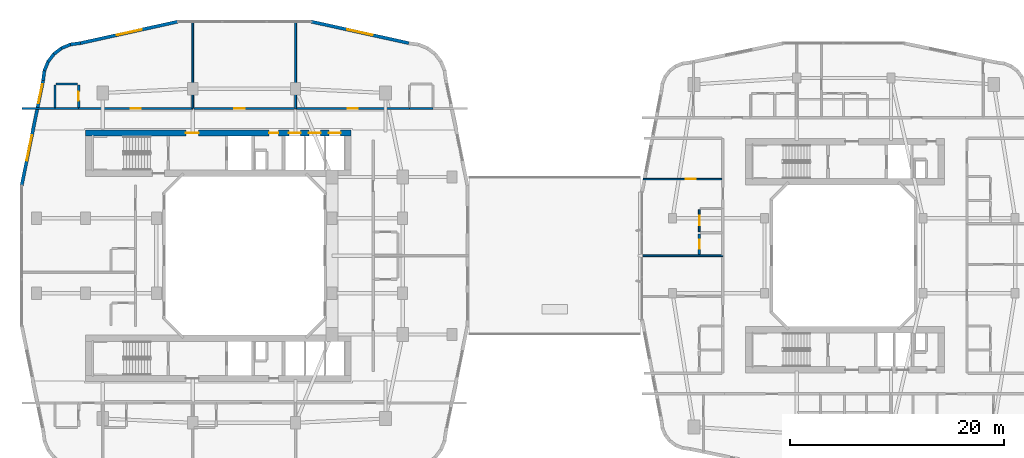
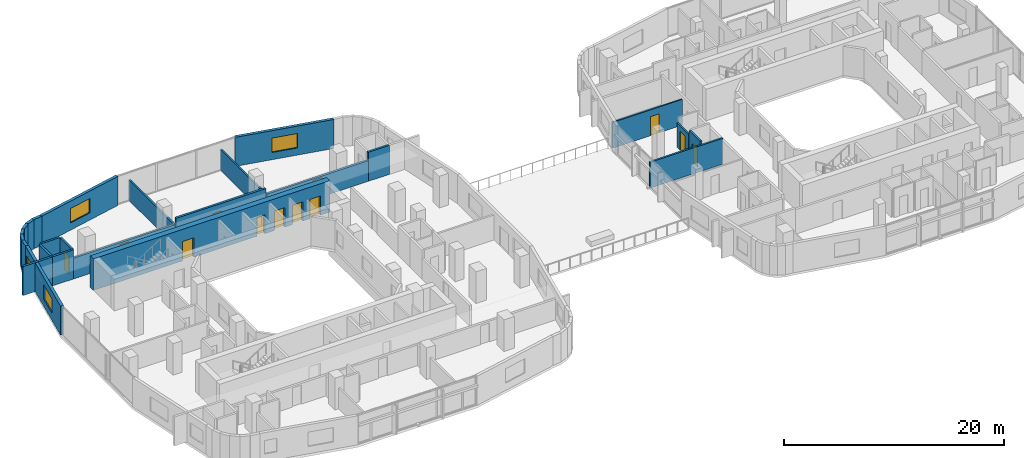
# One storey, part 15 of 25: 25 walls, 12 doors, 4 windows, 16 openings.
"""IFC4 building model written with IfcOpenShell, lengths in metres."""

from ifc_helpers import new_model, si_unit, derived_unit, direction, frame, frame_2d, origin, place, context, subcontext, project, spatial, rectangle, extrude, material, layer, layer_set, type_object, element, fill, save


model = new_model("IFC4")

# Units and contexts
model_context = context("Model", 3, precision=1e-05, world=origin(), true_north=direction((0.0, 1.0)))
body_context = subcontext(model_context, "Body", "Model", "MODEL_VIEW")
ifc_project = project(units=[si_unit("LENGTHUNIT", "METRE"), si_unit("AREAUNIT", "SQUARE_METRE"), si_unit("VOLUMEUNIT", "CUBIC_METRE"), si_unit("PLANEANGLEUNIT", "RADIAN"), si_unit("MASSUNIT", "GRAM", prefix="KILO"), derived_unit("THERMALTRANSMITTANCEUNIT", [(si_unit("POWERUNIT", "WATT"), 1), (si_unit("LENGTHUNIT", "METRE"), -2), (si_unit("THERMODYNAMICTEMPERATUREUNIT", "KELVIN"), -1)])], contexts=[model_context])

# Site, building, storey
site_placement = place(None, origin())
site = spatial("IfcSite", under=ifc_project, at=site_placement, CompositionType="ELEMENT")
building_placement = place(site_placement, origin())
building = spatial("IfcBuilding", under=site, at=building_placement, Name="Kivonza Crest Hotel", CompositionType="ELEMENT")
storey_placement = place(building_placement, frame((0.0, 0.0, 24.0)))
storey = spatial("IfcBuildingStorey", under=building, at=storey_placement, Name="L05", CompositionType="ELEMENT", Elevation=24.0)

# Walls
ifc_material_1 = material(Name="High-density acoustic masonry inter-tenancy wall", Category="masonry")
ifc_layer_1 = layer(ifc_material_1, 0.179931640625)
ifc_layer_set_1 = layer_set([ifc_layer_1], Name="High-density acoustic masonry inter-tenancy wall")
wall_type_1 = type_object("IfcWallType", Name="WL-ACOU-180", PredefinedType="SOLIDWALL", material=ifc_layer_set_1)
for number, where, z_axis, x_axis, name in (
    (1, (16.199951171875, 38.75, 0.0), (0.0, 0.0, 1.0), (0.0, 1.0, 0.0), "L05 interior partition WA-L05-T1N-DIV1"),
    (2, (25.800048828125, 38.75, 0.0), (0.0, 0.0, 1.0), (0.0, 1.0, 0.0), "L05 interior partition WA-L05-T1N-DIV2"),
):
    element("IfcWall", number, at=place(storey_placement, frame(where, z_axis=z_axis, x_axis=x_axis)), inside=storey, type_object=wall_type_1, Name=name, PredefinedType="SOLIDWALL", context=body_context, shape_type="SweptSolid", body=[
        extrude(rectangle(XDim=8.18994140625, YDim=0.179931640625, at=frame_2d((4.094970703125, 0.0))), origin(), (0.0, 0.0, 1.0), 2.294921875),
    ])
wall_1_placement = place(storey_placement, frame((58.06005859375, 25.0, 0.0), z_axis=(0.0, 0.0, 1.0), x_axis=(1.0, 0.0, 0.0)))
element("IfcWall", 3, at=wall_1_placement, inside=storey, type_object=wall_type_1, Name="L05 interior partition WA-L05-T2W-DIV1", PredefinedType="SOLIDWALL", context=body_context, shape_type="SweptSolid", body=[
    extrude(rectangle(XDim=7.639892578125, YDim=0.179931640625, at=frame_2d((3.81982421875, 0.0))), origin(), (0.0, 0.0, 1.0), 2.864990234375),
])
ifc_material_2 = material(Name="Autoclaved aerated concrete blockwork", Category="masonry")
ifc_layer_2 = layer(ifc_material_2, 0.219970703125)
ifc_layer_set_2 = layer_set([ifc_layer_2], Name="Autoclaved aerated concrete blockwork")
wall_type_2 = type_object("IfcWallType", Name="WL-ACOU-220", PredefinedType="SOLIDWALL", material=ifc_layer_set_2)
wall_2_placement = place(storey_placement, frame((0.239990234375, 38.75, 0.0), z_axis=(0.0, 0.0, 1.0), x_axis=(1.0, 0.0, 0.0)))
element("IfcWall", 4, at=wall_2_placement, inside=storey, type_object=wall_type_2, Name="L05 interior partition WA-L05-N01-XCORR", PredefinedType="SOLIDWALL", context=body_context, shape_type="SweptSolid", body=[
    extrude(rectangle(XDim=3.110107421875, YDim=0.219970703125, at=frame_2d((1.55517578125, 0.0))), origin(), (0.0, 0.0, 1.0), 3.219970703125),
])
wall_3_placement = place(storey_placement, frame((3.35009765625, 38.75, 0.0), z_axis=(0.0, 0.0, 1.0), x_axis=(1.0, 0.0, 0.0)))
element("IfcWall", 5, at=wall_3_placement, inside=storey, type_object=wall_type_2, Name="L05 interior partition WA-L05-N01-BCORR", PredefinedType="SOLIDWALL", context=body_context, shape_type="SweptSolid", body=[
    extrude(rectangle(XDim=2.199951171875, YDim=0.219970703125, at=frame_2d((1.10009765625, 0.0))), origin(), (0.0, 0.0, 1.0), 3.219970703125),
])

# Wall, opening, door
wall_4_placement = place(storey_placement, frame((5.550048828125, 38.75, 0.0), z_axis=(0.0, 0.0, 1.0), x_axis=(1.0, 0.0, 0.0)))
wall_4 = element("IfcWall", 6, at=wall_4_placement, inside=storey, type_object=wall_type_2, Name="L05 interior partition WA-L05-N01-MCORR", PredefinedType="SOLIDWALL", context=body_context, shape_type="SweptSolid", body=[
    extrude(rectangle(XDim=10.64990234375, YDim=0.219970703125, at=frame_2d((5.324951171875, 0.0))), origin(), (0.0, 0.0, 1.0), 2.294921875),
])
opening_1_placement = place(wall_4_placement, frame((4.85009765625, 0.0, 0.0)))
opening_1 = element("IfcOpeningElement", 7, at=opening_1_placement, cuts=wall_4, Name="Opening DU-60", PredefinedType="OPENING", context=body_context, shape_type="SweptSolid", body=[
    extrude(rectangle(XDim=0.949951171875, YDim=2.10009765625, at=frame_2d((0.47509765625, 1.050048828125))), frame((0.0, 0.1201171875, 0.0), z_axis=(0.0, -1.0, 0.0), x_axis=(1.0, 0.0, 0.0)), (0.0, 0.0, 1.0), 0.239990234375),
])
ifc_material_3 = material(Name="Hardwood timber oak", Category="wood")
door_type_1 = type_object("IfcDoorType", Name="DR-UNIT-950", OperationType="NOTDEFINED", PredefinedType="DOOR", material=ifc_material_3)
door_1_placement = place(opening_1_placement, origin())
door_1 = element("IfcDoor", 8, at=door_1_placement, inside=storey, type_object=door_type_1, Name="L05 N01 guest unit entrance fire door", OperationType="SINGLE_SWING_LEFT", OverallHeight=2.10009765625, OverallWidth=0.949951171875, PredefinedType="DOOR", context=body_context, shape_type="SweptSolid", body=[
    extrude(rectangle(XDim=0.949951171875, YDim=2.10009765625, at=frame_2d((0.47509765625, 1.050048828125))), frame((0.0, 0.02490234375, 0.0), z_axis=(0.0, -1.0, 0.0), x_axis=(1.0, 0.0, 0.0)), (0.0, 0.0, 1.0), 0.050048828125),
])
fill(opening_1, door_1)

wall_5_placement = place(storey_placement, frame((16.300048828125, 38.75, 0.0), z_axis=(0.0, 0.0, 1.0), x_axis=(1.0, 0.0, 0.0)))
wall_5 = element("IfcWall", 9, at=wall_5_placement, inside=storey, type_object=wall_type_2, Name="L05 interior partition WA-L05-HK-MAIN-S", PredefinedType="SOLIDWALL", context=body_context, shape_type="SweptSolid", body=[
    extrude(rectangle(XDim=9.39990234375, YDim=0.219970703125, at=frame_2d((4.699951171875, 0.0))), origin(), (0.0, 0.0, 1.0), 2.955078125),
])
opening_2_placement = place(wall_5_placement, frame((3.79296875, 0.0, 0.0)))
opening_2 = element("IfcOpeningElement", 10, at=opening_2_placement, cuts=wall_5, Name="Opening DF-60S", PredefinedType="OPENING", context=body_context, shape_type="SweptSolid", body=[
    extrude(rectangle(XDim=0.949951171875, YDim=2.10009765625, at=frame_2d((0.47509765625, 1.050048828125))), frame((0.0, 0.1201171875, 0.0), z_axis=(0.0, -1.0, 0.0), x_axis=(1.0, 0.0, 0.0)), (0.0, 0.0, 1.0), 0.239990234375),
])
door_type_2 = type_object("IfcDoorType", Name="DR-FD60-950", OperationType="NOTDEFINED", PredefinedType="DOOR", material=ifc_material_3)
door_2_placement = place(opening_2_placement, origin())
door_2 = element("IfcDoor", 11, at=door_2_placement, inside=storey, type_object=door_type_2, Name="L05 Housekeeping and Linen Room door", OperationType="SINGLE_SWING_RIGHT", OverallHeight=2.10009765625, OverallWidth=0.949951171875, PredefinedType="DOOR", context=body_context, shape_type="SweptSolid", body=[
    extrude(rectangle(XDim=0.949951171875, YDim=2.10009765625, at=frame_2d((0.47509765625, 1.050048828125))), frame((0.0, 0.02490234375, 0.0), z_axis=(0.0, -1.0, 0.0), x_axis=(1.0, 0.0, 0.0)), (0.0, 0.0, 1.0), 0.050048828125),
])
fill(opening_2, door_2)

# Wall
wall_6_placement = place(storey_placement, frame((36.449951171875, 38.75, 0.0), z_axis=(0.0, 0.0, 1.0), x_axis=(1.0, 0.0, 0.0)))
element("IfcWall", 12, at=wall_6_placement, inside=storey, type_object=wall_type_2, Name="L05 interior partition WA-L05-N02-BCORR", PredefinedType="SOLIDWALL", context=body_context, shape_type="SweptSolid", body=[
    extrude(rectangle(XDim=2.199951171875, YDim=0.219970703125, at=frame_2d((1.10009765625, 0.0))), origin(), (0.0, 0.0, 1.0), 3.219970703125),
])

# Wall, opening, door
wall_7_placement = place(storey_placement, frame((25.800048828125, 38.75, 0.0), z_axis=(0.0, 0.0, 1.0), x_axis=(1.0, 0.0, 0.0)))
wall_7 = element("IfcWall", 13, at=wall_7_placement, inside=storey, type_object=wall_type_2, Name="L05 interior partition WA-L05-N02-MCORR", PredefinedType="SOLIDWALL", context=body_context, shape_type="SweptSolid", body=[
    extrude(rectangle(XDim=10.64990234375, YDim=0.219970703125, at=frame_2d((5.324951171875, 0.0))), origin(), (0.0, 0.0, 1.0), 2.294921875),
])
opening_3_placement = place(wall_7_placement, frame((4.85009765625, 0.0, 0.0)))
opening_3 = element("IfcOpeningElement", 14, at=opening_3_placement, cuts=wall_7, Name="Opening DU-60", PredefinedType="OPENING", context=body_context, shape_type="SweptSolid", body=[
    extrude(rectangle(XDim=0.949951171875, YDim=2.10009765625, at=frame_2d((0.47509765625, 1.050048828125))), frame((0.0, 0.1201171875, 0.0), z_axis=(0.0, -1.0, 0.0), x_axis=(1.0, 0.0, 0.0)), (0.0, 0.0, 1.0), 0.239990234375),
])
door_3_placement = place(opening_3_placement, origin())
door_3 = element("IfcDoor", 15, at=door_3_placement, inside=storey, type_object=door_type_1, Name="L05 N02 guest unit entrance fire door", OperationType="SINGLE_SWING_RIGHT", OverallHeight=2.10009765625, OverallWidth=0.949951171875, PredefinedType="DOOR", context=body_context, shape_type="SweptSolid", body=[
    extrude(rectangle(XDim=0.949951171875, YDim=2.10009765625, at=frame_2d((0.47509765625, 1.050048828125))), frame((0.0, 0.02490234375, 0.0), z_axis=(0.0, -1.0, 0.0), x_axis=(1.0, 0.0, 0.0)), (0.0, 0.0, 1.0), 0.050048828125),
])
fill(opening_3, door_3)

# Wall, openings, doors
ifc_material_4 = material(Name="Concrete C60/75", Category="concrete")
ifc_layer_3 = layer(ifc_material_4, 0.60009765625)
ifc_layer_set_3 = layer_set([ifc_layer_3], Name="Concrete C60/75")
wall_type_3 = type_object("IfcWallType", Name="WL-CORE-600", PredefinedType="SHEAR", material=ifc_layer_set_3)
wall_8_placement = place(storey_placement, frame((6.199951171875, 36.4599609375, 0.0), z_axis=(0.0, 0.0, 1.0), x_axis=(1.0, 0.0, 0.0)))
wall_8 = element("IfcWall", 16, at=wall_8_placement, inside=storey, type_object=wall_type_3, Name="Core wall T1-N North L05", PredefinedType="SHEAR", context=body_context, shape_type="SweptSolid", body=[
    extrude(rectangle(XDim=24.800048828125, YDim=0.60009765625, at=frame_2d((12.39990234375, 0.0))), origin(), (0.0, 0.0, 1.0), 3.5),
])
opening_4_placement = place(wall_8_placement, frame((9.35009765625, 0.0, 0.0)))
opening_4 = element("IfcOpeningElement", 17, at=opening_4_placement, cuts=wall_8, Name="Opening DF-60", PredefinedType="OPENING", context=body_context, shape_type="SweptSolid", body=[
    extrude(rectangle(XDim=1.199951171875, YDim=2.14990234375, at=frame_2d((0.60009765625, 1.074951171875))), frame((0.0, 0.31005859375, 0.0), z_axis=(0.0, -1.0, 0.0), x_axis=(1.0, 0.0, 0.0)), (0.0, 0.0, 1.0), 0.6201171875),
])
opening_5_placement = place(wall_8_placement, frame((17.139892578125, 0.0, 0.0)))
opening_5 = element("IfcOpeningElement", 18, at=opening_5_placement, cuts=wall_8, Name="Opening DF-60R", PredefinedType="OPENING", context=body_context, shape_type="SweptSolid", body=[
    extrude(rectangle(XDim=0.85009765625, YDim=2.10009765625, at=frame_2d((0.425048828125, 1.050048828125))), frame((0.0, 0.31005859375, 0.0), z_axis=(0.0, -1.0, 0.0), x_axis=(1.0, 0.0, 0.0)), (0.0, 0.0, 1.0), 0.6201171875),
])
opening_6_placement = place(wall_8_placement, frame((18.98291015625, 0.0, 0.0)))
opening_6 = element("IfcOpeningElement", 19, at=opening_6_placement, cuts=wall_8, Name="Opening LD-120", PredefinedType="OPENING", context=body_context, shape_type="SweptSolid", body=[
    extrude(rectangle(XDim=1.10009765625, YDim=2.14990234375, at=frame_2d((0.550048828125, 1.074951171875))), frame((0.0, 0.31005859375, 0.0), z_axis=(0.0, -1.0, 0.0), x_axis=(1.0, 0.0, 0.0)), (0.0, 0.0, 1.0), 0.6201171875),
])
opening_7_placement = place(wall_8_placement, frame((20.85009765625, 0.0, 0.0)))
opening_7 = element("IfcOpeningElement", 20, at=opening_7_placement, cuts=wall_8, Name="Opening LD-120", PredefinedType="OPENING", context=body_context, shape_type="SweptSolid", body=[
    extrude(rectangle(XDim=1.10009765625, YDim=2.14990234375, at=frame_2d((0.550048828125, 1.074951171875))), frame((0.0, 0.31005859375, 0.0), z_axis=(0.0, -1.0, 0.0), x_axis=(1.0, 0.0, 0.0)), (0.0, 0.0, 1.0), 0.6201171875),
])
opening_8_placement = place(wall_8_placement, frame((22.716064453125, 0.0, 0.0)))
opening_8 = element("IfcOpeningElement", 21, at=opening_8_placement, cuts=wall_8, Name="Opening LD-120", PredefinedType="OPENING", context=body_context, shape_type="SweptSolid", body=[
    extrude(rectangle(XDim=1.10009765625, YDim=2.14990234375, at=frame_2d((0.550048828125, 1.074951171875))), frame((0.0, 0.31005859375, 0.0), z_axis=(0.0, -1.0, 0.0), x_axis=(1.0, 0.0, 0.0)), (0.0, 0.0, 1.0), 0.6201171875),
])
door_type_3 = type_object("IfcDoorType", Name="DR-FD60-1200", OperationType="NOTDEFINED", PredefinedType="DOOR", material=ifc_material_3)
door_4_placement = place(opening_4_placement, origin())
door_4 = element("IfcDoor", 22, at=door_4_placement, inside=storey, type_object=door_type_3, Name="L05 T1-N firefighting lobby fire door", OperationType="SINGLE_SWING_RIGHT", OverallHeight=2.14990234375, OverallWidth=1.199951171875, PredefinedType="DOOR", context=body_context, shape_type="SweptSolid", body=[
    extrude(rectangle(XDim=1.199951171875, YDim=2.14990234375, at=frame_2d((0.60009765625, 1.074951171875))), frame((0.0, 0.02490234375, 0.0), z_axis=(0.0, -1.0, 0.0), x_axis=(1.0, 0.0, 0.0)), (0.0, 0.0, 1.0), 0.050048828125),
])
fill(opening_4, door_4)
door_type_4 = type_object("IfcDoorType", Name="DR-FD60-850", OperationType="NOTDEFINED", PredefinedType="DOOR", material=ifc_material_3)
door_5_placement = place(opening_5_placement, origin())
door_5 = element("IfcDoor", 23, at=door_5_placement, inside=storey, type_object=door_type_4, Name="L05 T1-N core room door", OperationType="SINGLE_SWING_RIGHT", OverallHeight=2.10009765625, OverallWidth=0.85009765625, PredefinedType="DOOR", context=body_context, shape_type="SweptSolid", body=[
    extrude(rectangle(XDim=0.85009765625, YDim=2.10009765625, at=frame_2d((0.425048828125, 1.050048828125))), frame((0.0, 0.02490234375, 0.0), z_axis=(0.0, -1.0, 0.0), x_axis=(1.0, 0.0, 0.0)), (0.0, 0.0, 1.0), 0.050048828125),
])
fill(opening_5, door_5)
ifc_material_5 = material(Name="Stainless steel", Category="steel")
door_type_5 = type_object("IfcDoorType", Name="DR-LD120-1100", OperationType="NOTDEFINED", PredefinedType="DOOR", material=ifc_material_5)
door_6_placement = place(opening_6_placement, origin())
door_6 = element("IfcDoor", 24, at=door_6_placement, inside=storey, type_object=door_type_5, Name="L05 PL-T1-L1 passenger lift sliding landing door", OperationType="DOUBLE_DOOR_SLIDING", OverallHeight=2.14990234375, OverallWidth=1.10009765625, PredefinedType="DOOR", context=body_context, shape_type="SweptSolid", body=[
    extrude(rectangle(XDim=1.10009765625, YDim=2.14990234375, at=frame_2d((0.550048828125, 1.074951171875))), frame((0.0, 0.02490234375, 0.0), z_axis=(0.0, -1.0, 0.0), x_axis=(1.0, 0.0, 0.0)), (0.0, 0.0, 1.0), 0.050048828125),
])
fill(opening_6, door_6)
door_7_placement = place(opening_7_placement, origin())
door_7 = element("IfcDoor", 25, at=door_7_placement, inside=storey, type_object=door_type_5, Name="L05 PL-T1-L2 passenger lift sliding landing door", OperationType="DOUBLE_DOOR_SLIDING", OverallHeight=2.14990234375, OverallWidth=1.10009765625, PredefinedType="DOOR", context=body_context, shape_type="SweptSolid", body=[
    extrude(rectangle(XDim=1.10009765625, YDim=2.14990234375, at=frame_2d((0.550048828125, 1.074951171875))), frame((0.0, 0.02490234375, 0.0), z_axis=(0.0, -1.0, 0.0), x_axis=(1.0, 0.0, 0.0)), (0.0, 0.0, 1.0), 0.050048828125),
])
fill(opening_7, door_7)
door_8_placement = place(opening_8_placement, origin())
door_8 = element("IfcDoor", 26, at=door_8_placement, inside=storey, type_object=door_type_5, Name="L05 PL-T1-L3 passenger lift sliding landing door", OperationType="DOUBLE_DOOR_SLIDING", OverallHeight=2.14990234375, OverallWidth=1.10009765625, PredefinedType="DOOR", context=body_context, shape_type="SweptSolid", body=[
    extrude(rectangle(XDim=1.10009765625, YDim=2.14990234375, at=frame_2d((0.550048828125, 1.074951171875))), frame((0.0, 0.02490234375, 0.0), z_axis=(0.0, -1.0, 0.0), x_axis=(1.0, 0.0, 0.0)), (0.0, 0.0, 1.0), 0.050048828125),
])
fill(opening_8, door_8)

# Wall, opening, window
ifc_material_6 = material(Name="Precast concrete C40/50", Category="concrete")
ifc_layer_4 = layer(ifc_material_6, 0.300048828125)
ifc_layer_set_4 = layer_set([ifc_layer_4], Name="Precast concrete C40/50")
wall_type_4 = type_object("IfcWallType", Name="WL-EXT-300", PredefinedType="STANDARD", material=ifc_layer_set_4)
wall_9_placement = place(storey_placement, frame((36.3759765625, 44.85205078125, 0.0), z_axis=(0.0, 0.0, 1.0), x_axis=(-0.97654500432, 0.215313386808, 0.0)))
wall_9 = element("IfcWall", 27, at=wall_9_placement, inside=storey, type_object=wall_type_4, Name="L05 T1 exterior insulated wall 25", PredefinedType="STANDARD", context=body_context, shape_type="SweptSolid", body=[
    extrude(rectangle(XDim=9.353515625, YDim=0.300048828125, at=frame_2d((4.6767578125, 0.0))), origin(), (0.0, 0.0, 1.0), 3.219970703125),
])
opening_9_placement = place(wall_9_placement, frame((3.47705078125, 0.0, 0.800048828125)))
opening_9 = element("IfcOpeningElement", 28, at=opening_9_placement, cuts=wall_9, Name="Opening WN-05", PredefinedType="OPENING", context=body_context, shape_type="SweptSolid", body=[
    extrude(rectangle(XDim=2.39990234375, YDim=1.60009765625, at=frame_2d((1.199951171875, 0.800048828125))), frame((0.0, 0.16015625, 0.0), z_axis=(0.0, -1.0, 0.0), x_axis=(1.0, 0.0, 0.0)), (0.0, 0.0, 1.0), 0.320068359375),
])
ifc_material_7 = material(Name="Thermally broken bronze aluminium and low-E double glazing", Category="aluminium")
window_type_1 = type_object("IfcWindowType", Name="WN-240x160", PartitioningType="TRIPLE_PANEL_VERTICAL", PredefinedType="WINDOW", material=ifc_material_7)
window_1_placement = place(opening_9_placement, origin())
window_1 = element("IfcWindow", 29, at=window_1_placement, inside=storey, type_object=window_type_1, Name="L05 T1 facade window 25", OverallHeight=1.60009765625, OverallWidth=2.39990234375, PartitioningType="SINGLE_PANEL", PredefinedType="WINDOW", context=body_context, shape_type="SweptSolid", body=[
    extrude(rectangle(XDim=2.39990234375, YDim=1.60009765625, at=frame_2d((1.199951171875, 0.800048828125))), frame((0.0, 0.030029296875, 0.0), z_axis=(0.0, -1.0, 0.0), x_axis=(1.0, 0.0, 0.0)), (0.0, 0.0, 1.0), 0.06005859375),
])
fill(opening_9, window_1)

wall_10_placement = place(storey_placement, frame((14.837890625, 46.865966796875, 0.0), z_axis=(0.0, 0.0, 1.0), x_axis=(-0.9765437942, -0.215318875183, 0.0)))
wall_10 = element("IfcWall", 30, at=wall_10_placement, inside=storey, type_object=wall_type_4, Name="L05 T1 exterior insulated wall 27", PredefinedType="STANDARD", context=body_context, shape_type="SweptSolid", body=[
    extrude(rectangle(XDim=9.353271484375, YDim=0.300048828125, at=frame_2d((4.6767578125, 0.0))), origin(), (0.0, 0.0, 1.0), 3.219970703125),
])
opening_10_placement = place(wall_10_placement, frame((3.47705078125, 0.0, 0.800048828125)))
opening_10 = element("IfcOpeningElement", 31, at=opening_10_placement, cuts=wall_10, Name="Opening WN-05", PredefinedType="OPENING", context=body_context, shape_type="SweptSolid", body=[
    extrude(rectangle(XDim=2.39990234375, YDim=1.60009765625, at=frame_2d((1.199951171875, 0.800048828125))), frame((0.0, 0.16015625, 0.0), z_axis=(0.0, -1.0, 0.0), x_axis=(1.0, 0.0, 0.0)), (0.0, 0.0, 1.0), 0.320068359375),
])
window_2_placement = place(opening_10_placement, origin())
window_2 = element("IfcWindow", 32, at=window_2_placement, inside=storey, type_object=window_type_1, Name="L05 T1 facade window 27", OverallHeight=1.60009765625, OverallWidth=2.39990234375, PartitioningType="SINGLE_PANEL", PredefinedType="WINDOW", context=body_context, shape_type="SweptSolid", body=[
    extrude(rectangle(XDim=2.39990234375, YDim=1.60009765625, at=frame_2d((1.199951171875, 0.800048828125))), frame((0.0, 0.030029296875, 0.0), z_axis=(0.0, -1.0, 0.0), x_axis=(1.0, 0.0, 0.0)), (0.0, 0.0, 1.0), 0.06005859375),
])
fill(opening_10, window_2)

# Walls
wall_11_placement = place(storey_placement, frame((5.7080078125, 44.85205078125, 0.0), z_axis=(0.0, 0.0, 1.0), x_axis=(-0.991359246108, -0.131174864804, 0.0)))
element("IfcWall", 33, at=wall_11_placement, inside=storey, type_object=wall_type_4, Name="L05 T1 exterior insulated wall 28", PredefinedType="STANDARD", context=body_context, shape_type="SweptSolid", body=[
    extrude(rectangle(XDim=0.93798828125, YDim=0.300048828125, at=frame_2d((0.468994140625, 0.0))), origin(), (0.0, 0.0, 1.0), 3.219970703125),
])
wall_12_placement = place(storey_placement, frame((4.827880859375, 44.748046875, 0.0), z_axis=(0.0, 0.0, 1.0), x_axis=(-0.923982547689, -0.382434636986, 0.0)))
element("IfcWall", 34, at=wall_12_placement, inside=storey, type_object=wall_type_4, Name="L05 T1 exterior insulated wall 29", PredefinedType="STANDARD", context=body_context, shape_type="SweptSolid", body=[
    extrude(rectangle(XDim=0.954345703125, YDim=0.300048828125, at=frame_2d((0.47705078125, 0.0))), origin(), (0.0, 0.0, 1.0), 3.219970703125),
])
for number, where, z_axis, x_axis, name in (
    (35, (3.990966796875, 44.4140625, 0.0), (0.0, 0.0, 1.0), (-0.793668068435, -0.608351047625, 0.0), "L05 T1 exterior insulated wall 30"),
    (36, (3.26806640625, 43.875, 0.0), (0.0, 0.0, 1.0), (-0.608351047625, -0.793668068435, 0.0), "L05 T1 exterior insulated wall 31"),
):
    element("IfcWall", number, at=place(storey_placement, frame(where, z_axis=z_axis, x_axis=x_axis)), inside=storey, type_object=wall_type_4, Name=name, PredefinedType="STANDARD", context=body_context, shape_type="SweptSolid", body=[
        extrude(rectangle(XDim=0.955078125, YDim=0.300048828125, at=frame_2d((0.4775390625, 0.0))), origin(), (0.0, 0.0, 1.0), 3.219970703125),
    ])
wall_13_placement = place(storey_placement, frame((2.7109375, 43.166015625, 0.0), z_axis=(0.0, 0.0, 1.0), x_axis=(-0.382344263057, -0.924019948111, 0.0)))
element("IfcWall", 37, at=wall_13_placement, inside=storey, type_object=wall_type_4, Name="L05 T1 exterior insulated wall 32", PredefinedType="STANDARD", context=body_context, shape_type="SweptSolid", body=[
    extrude(rectangle(XDim=0.95458984375, YDim=0.300048828125, at=frame_2d((0.477294921875, 0.0))), origin(), (0.0, 0.0, 1.0), 3.219970703125),
])
wall_14_placement = place(storey_placement, frame((2.35498046875, 42.3369140625, 0.0), z_axis=(0.0, 0.0, 1.0), x_axis=(-0.130454512571, -0.991454295543, 0.0)))
element("IfcWall", 38, at=wall_14_placement, inside=storey, type_object=wall_type_4, Name="L05 T1 exterior insulated wall 33", PredefinedType="STANDARD", context=body_context, shape_type="SweptSolid", body=[
    extrude(rectangle(XDim=0.97314453125, YDim=0.300048828125, at=frame_2d((0.486572265625, 0.0))), origin(), (0.0, 0.0, 1.0), 3.219970703125),
])

# Wall, openings, windows
wall_15_placement = place(storey_placement, frame((2.22900390625, 41.3779296875, 0.0), z_axis=(0.0, 0.0, 1.0), x_axis=(-0.199990901713, -0.979797754249, 0.0)))
wall_15 = element("IfcWall", 39, at=wall_15_placement, inside=storey, type_object=wall_type_4, Name="L05 T1 exterior insulated wall 34", PredefinedType="STANDARD", context=body_context, shape_type="SweptSolid", body=[
    extrude(rectangle(XDim=10.065185546875, YDim=0.300048828125, at=frame_2d((5.03271484375, 0.0))), origin(), (0.0, 0.0, 1.0), 3.219970703125),
])
opening_11_placement = place(wall_15_placement, frame((0.3779296875, 0.0, 0.85009765625)))
opening_11 = element("IfcOpeningElement", 40, at=opening_11_placement, cuts=wall_15, Name="Opening WN-03", PredefinedType="OPENING", context=body_context, shape_type="SweptSolid", body=[
    extrude(rectangle(XDim=1.800048828125, YDim=1.5, at=frame_2d((0.89990234375, 0.75))), frame((0.0, 0.16015625, 0.0), z_axis=(0.0, -1.0, 0.0), x_axis=(1.0, 0.0, 0.0)), (0.0, 0.0, 1.0), 0.320068359375),
])
opening_12_placement = place(wall_15_placement, frame((5.236083984375, 0.0, 0.800048828125)))
opening_12 = element("IfcOpeningElement", 41, at=opening_12_placement, cuts=wall_15, Name="Opening WN-05", PredefinedType="OPENING", context=body_context, shape_type="SweptSolid", body=[
    extrude(rectangle(XDim=2.39990234375, YDim=1.60009765625, at=frame_2d((1.199951171875, 0.800048828125))), frame((0.0, 0.16015625, 0.0), z_axis=(0.0, -1.0, 0.0), x_axis=(1.0, 0.0, 0.0)), (0.0, 0.0, 1.0), 0.320068359375),
])
window_type_2 = type_object("IfcWindowType", Name="WN-180x150", PartitioningType="DOUBLE_PANEL_VERTICAL", PredefinedType="WINDOW", material=ifc_material_7)
window_3_placement = place(opening_11_placement, origin())
window_3 = element("IfcWindow", 42, at=window_3_placement, inside=storey, type_object=window_type_2, Name="L05 T1 facade window 34 bay 1", OverallHeight=1.5, OverallWidth=1.800048828125, PartitioningType="SINGLE_PANEL", PredefinedType="WINDOW", context=body_context, shape_type="SweptSolid", body=[
    extrude(rectangle(XDim=1.800048828125, YDim=1.5, at=frame_2d((0.89990234375, 0.75))), frame((0.0, 0.030029296875, 0.0), z_axis=(0.0, -1.0, 0.0), x_axis=(1.0, 0.0, 0.0)), (0.0, 0.0, 1.0), 0.06005859375),
])
fill(opening_11, window_3)
window_4_placement = place(opening_12_placement, origin())
window_4 = element("IfcWindow", 43, at=window_4_placement, inside=storey, type_object=window_type_1, Name="L05 T1 facade window 34 bay 2", OverallHeight=1.60009765625, OverallWidth=2.39990234375, PartitioningType="SINGLE_PANEL", PredefinedType="WINDOW", context=body_context, shape_type="SweptSolid", body=[
    extrude(rectangle(XDim=2.39990234375, YDim=1.60009765625, at=frame_2d((1.199951171875, 0.800048828125))), frame((0.0, 0.030029296875, 0.0), z_axis=(0.0, -1.0, 0.0), x_axis=(1.0, 0.0, 0.0)), (0.0, 0.0, 1.0), 0.06005859375),
])
fill(opening_12, window_4)

# Wall, opening, door
ifc_material_8 = material(Name="Twin-stud acoustic gypsum board partition", Category="gypsum")
ifc_layer_5 = layer(ifc_material_8, 0.14990234375)
ifc_layer_set_5 = layer_set([ifc_layer_5], Name="Twin-stud acoustic gypsum board partition")
wall_type_5 = type_object("IfcWallType", Name="WL-PART-150", PredefinedType="PARTITIONING", material=ifc_layer_set_5)
wall_16_placement = place(storey_placement, frame((58.260009765625, 32.159912109375, 0.0), z_axis=(0.0, 0.0, 1.0), x_axis=(1.0, 0.0, 0.0)))
wall_16 = element("IfcWall", 44, at=wall_16_placement, inside=storey, type_object=wall_type_5, Name="L05 interior partition WP-L05-A06-BD1", PredefinedType="PARTITIONING", context=body_context, shape_type="SweptSolid", body=[
    extrude(rectangle(XDim=7.340087890625, YDim=0.14990234375, at=frame_2d((3.669921875, 0.0))), origin(), (0.0, 0.0, 1.0), 2.864990234375),
])
opening_13_placement = place(wall_16_placement, frame((3.989990234375, 0.0, 0.0)))
opening_13 = element("IfcOpeningElement", 45, at=opening_13_placement, cuts=wall_16, Name="Opening DI-90", PredefinedType="OPENING", context=body_context, shape_type="SweptSolid", body=[
    extrude(rectangle(XDim=0.89990234375, YDim=2.10009765625, at=frame_2d((0.449951171875, 1.050048828125))), frame((0.0, 0.0849609375, 0.0), z_axis=(0.0, -1.0, 0.0), x_axis=(1.0, 0.0, 0.0)), (0.0, 0.0, 1.0), 0.169921875),
])
door_type_6 = type_object("IfcDoorType", Name="DR-INT-900", OperationType="NOTDEFINED", PredefinedType="DOOR", material=ifc_material_3)
door_9_placement = place(opening_13_placement, origin())
door_9 = element("IfcDoor", 46, at=door_9_placement, inside=storey, type_object=door_type_6, Name="L05 A06 bedroom door", OperationType="SINGLE_SWING_LEFT", OverallHeight=2.10009765625, OverallWidth=0.89990234375, PredefinedType="DOOR", context=body_context, shape_type="SweptSolid", body=[
    extrude(rectangle(XDim=0.89990234375, YDim=2.10009765625, at=frame_2d((0.449951171875, 1.050048828125))), frame((0.0, 0.02490234375, 0.0), z_axis=(0.0, -1.0, 0.0), x_axis=(1.0, 0.0, 0.0)), (0.0, 0.0, 1.0), 0.050048828125),
])
fill(opening_13, door_9)

wall_17_placement = place(storey_placement, frame((63.5, 27.25, 0.0), z_axis=(0.0, 0.0, 1.0), x_axis=(0.0, 1.0, 0.0)))
wall_17 = element("IfcWall", 47, at=wall_17_placement, inside=storey, type_object=wall_type_5, Name="L05 interior partition WP-L05-A06-KSVC", PredefinedType="PARTITIONING", context=body_context, shape_type="SweptSolid", body=[
    extrude(rectangle(XDim=2.050048828125, YDim=0.14990234375, at=frame_2d((1.02490234375, 0.0))), origin(), (0.0, 0.0, 1.0), 2.72509765625),
])
opening_14_placement = place(wall_17_placement, frame((0.574951171875, 0.0, 0.0)))
opening_14 = element("IfcOpeningElement", 48, at=opening_14_placement, cuts=wall_17, Name="Opening DI-90", PredefinedType="OPENING", context=body_context, shape_type="SweptSolid", body=[
    extrude(rectangle(XDim=0.89990234375, YDim=2.10009765625, at=frame_2d((0.449951171875, 1.050048828125))), frame((0.0, 0.0849609375, 0.0), z_axis=(0.0, -1.0, 0.0), x_axis=(1.0, 0.0, 0.0)), (0.0, 0.0, 1.0), 0.169921875),
])
door_10_placement = place(opening_14_placement, origin())
door_10 = element("IfcDoor", 49, at=door_10_placement, inside=storey, type_object=door_type_6, Name="L05 A06 apartment kitchen door", OperationType="SINGLE_SWING_RIGHT", OverallHeight=2.10009765625, OverallWidth=0.89990234375, PredefinedType="DOOR", context=body_context, shape_type="SweptSolid", body=[
    extrude(rectangle(XDim=0.89990234375, YDim=2.10009765625, at=frame_2d((0.449951171875, 1.050048828125))), frame((0.0, 0.02490234375, 0.0), z_axis=(0.0, -1.0, 0.0), x_axis=(1.0, 0.0, 0.0)), (0.0, 0.0, 1.0), 0.050048828125),
])
fill(opening_14, door_10)

ifc_material_9 = material(Name="Moisture-resistant plumbing chase partition wall", Category="gypsum")
ifc_layer_6 = layer(ifc_material_9, 0.199951171875)
ifc_layer_set_6 = layer_set([ifc_layer_6], Name="Moisture-resistant plumbing chase partition wall")
wall_type_6 = type_object("IfcWallType", Name="WL-PLUMB-200", PredefinedType="PLUMBINGWALL", material=ifc_layer_set_6)
wall_18_placement = place(storey_placement, frame((5.550048828125, 38.85009765625, 0.0), z_axis=(0.0, 0.0, 1.0), x_axis=(0.0, 1.0, 0.0)))
wall_18 = element("IfcWall", 50, at=wall_18_placement, inside=storey, type_object=wall_type_6, Name="L05 interior partition WW-L05-N01-BV", PredefinedType="PLUMBINGWALL", context=body_context, shape_type="SweptSolid", body=[
    extrude(rectangle(XDim=2.099853515625, YDim=0.199951171875, at=frame_2d((1.0498046875, 0.0))), origin(), (0.0, 0.0, 1.0), 3.219970703125),
])
opening_15_placement = place(wall_18_placement, frame((0.625, 0.0, 0.0)))
opening_15 = element("IfcOpeningElement", 51, at=opening_15_placement, cuts=wall_18, Name="Opening DI-85", PredefinedType="OPENING", context=body_context, shape_type="SweptSolid", body=[
    extrude(rectangle(XDim=0.85009765625, YDim=2.10009765625, at=frame_2d((0.425048828125, 1.050048828125))), frame((0.0, 0.10986328125, 0.0), z_axis=(0.0, -1.0, 0.0), x_axis=(1.0, 0.0, 0.0)), (0.0, 0.0, 1.0), 0.219970703125),
])
door_type_7 = type_object("IfcDoorType", Name="DR-INT-850", OperationType="NOTDEFINED", PredefinedType="DOOR", material=ifc_material_3)
door_11_placement = place(opening_15_placement, frame((0.85009765625, 0.0, 0.0), z_axis=(0.0, 0.0, 1.0), x_axis=(-1.0, 0.0, 0.0)))
door_11 = element("IfcDoor", 52, at=door_11_placement, inside=storey, type_object=door_type_7, Name="L05 N01 en-suite bathroom door", OperationType="SINGLE_SWING_RIGHT", OverallHeight=2.10009765625, OverallWidth=0.85009765625, PredefinedType="DOOR", context=body_context, shape_type="SweptSolid", body=[
    extrude(rectangle(XDim=0.85009765625, YDim=2.10009765625, at=frame_2d((0.425048828125, 1.050048828125))), frame((0.0, 0.02490234375, 0.0), z_axis=(0.0, -1.0, 0.0), x_axis=(1.0, 0.0, 0.0)), (0.0, 0.0, 1.0), 0.050048828125),
])
fill(opening_15, door_11)

# Walls
wall_19_placement = place(storey_placement, frame((3.449951171875, 41.050048828125, 0.0), z_axis=(0.0, 0.0, 1.0), x_axis=(1.0, 0.0, 0.0)))
element("IfcWall", 53, at=wall_19_placement, inside=storey, type_object=wall_type_6, Name="L05 interior partition WW-L05-N01-BH", PredefinedType="PLUMBINGWALL", context=body_context, shape_type="SweptSolid", body=[
    extrude(rectangle(XDim=2.0, YDim=0.199951171875, at=frame_2d((1.0, 0.0))), origin(), (0.0, 0.0, 1.0), 3.219970703125),
])
wall_20_placement = place(storey_placement, frame((3.35009765625, 38.85009765625, 0.0), z_axis=(0.0, 0.0, 1.0), x_axis=(0.0, 1.0, 0.0)))
element("IfcWall", 54, at=wall_20_placement, inside=storey, type_object=wall_type_6, Name="L05 interior partition WW-L05-N01-BVW", PredefinedType="PLUMBINGWALL", context=body_context, shape_type="SweptSolid", body=[
    extrude(rectangle(XDim=2.099853515625, YDim=0.199951171875, at=frame_2d((1.0498046875, 0.0))), origin(), (0.0, 0.0, 1.0), 3.219970703125),
])

# Wall, opening, door
wall_21_placement = place(storey_placement, frame((63.5, 25.10009765625, 0.0), z_axis=(0.0, 0.0, 1.0), x_axis=(0.0, 1.0, 0.0)))
wall_21 = element("IfcWall", 55, at=wall_21_placement, inside=storey, type_object=wall_type_6, Name="L05 interior partition WW-L05-A06-BSVC", PredefinedType="PLUMBINGWALL", context=body_context, shape_type="SweptSolid", body=[
    extrude(rectangle(XDim=1.949951171875, YDim=0.199951171875, at=frame_2d((0.97509765625, 0.0))), origin(), (0.0, 0.0, 1.0), 3.219970703125),
])
opening_16_placement = place(wall_21_placement, frame((0.550048828125, 0.0, 0.0)))
opening_16 = element("IfcOpeningElement", 56, at=opening_16_placement, cuts=wall_21, Name="Opening DI-85", PredefinedType="OPENING", context=body_context, shape_type="SweptSolid", body=[
    extrude(rectangle(XDim=0.85009765625, YDim=2.10009765625, at=frame_2d((0.425048828125, 1.050048828125))), frame((0.0, 0.10986328125, 0.0), z_axis=(0.0, -1.0, 0.0), x_axis=(1.0, 0.0, 0.0)), (0.0, 0.0, 1.0), 0.219970703125),
])
door_12_placement = place(opening_16_placement, origin())
door_12 = element("IfcDoor", 57, at=door_12_placement, inside=storey, type_object=door_type_7, Name="L05 A06 apartment bathroom door", OperationType="SINGLE_SWING_LEFT", OverallHeight=2.10009765625, OverallWidth=0.85009765625, PredefinedType="DOOR", context=body_context, shape_type="SweptSolid", body=[
    extrude(rectangle(XDim=0.85009765625, YDim=2.10009765625, at=frame_2d((0.425048828125, 1.050048828125))), frame((0.0, 0.02490234375, 0.0), z_axis=(0.0, -1.0, 0.0), x_axis=(1.0, 0.0, 0.0)), (0.0, 0.0, 1.0), 0.050048828125),
])
fill(opening_16, door_12)

save(model, "model.ifc")
